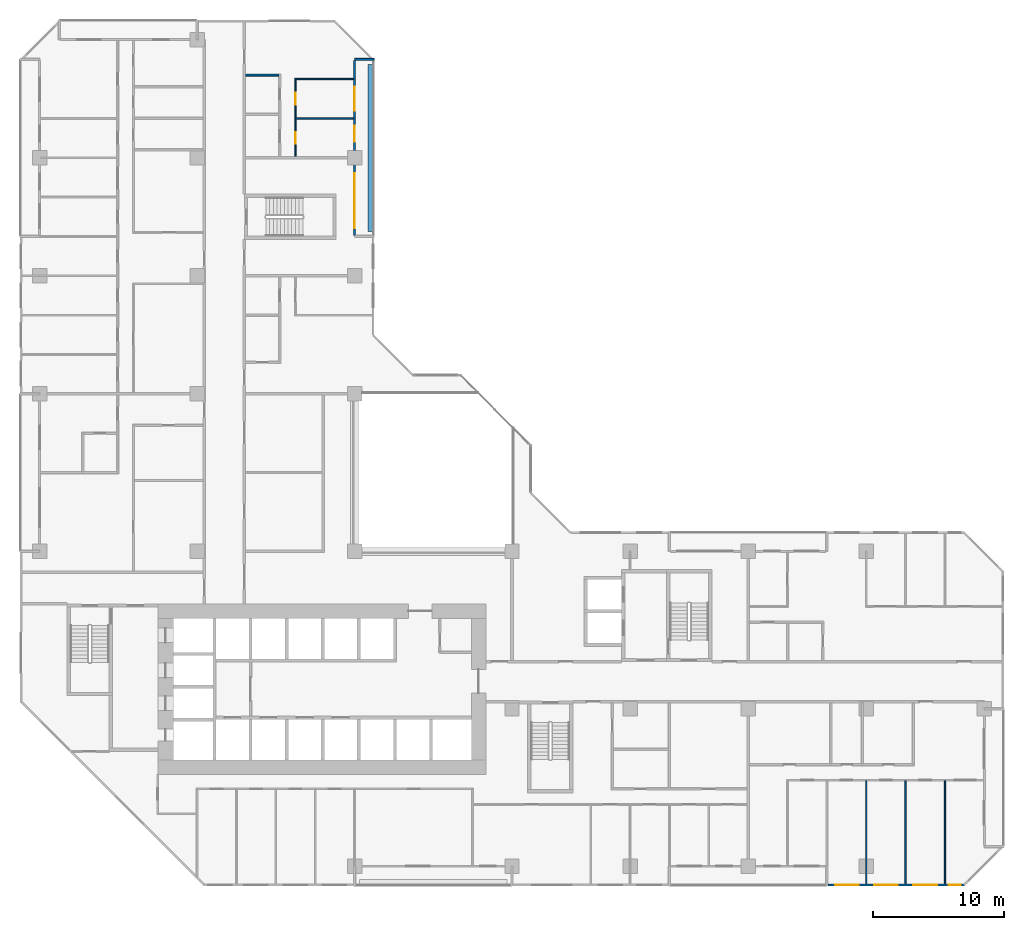
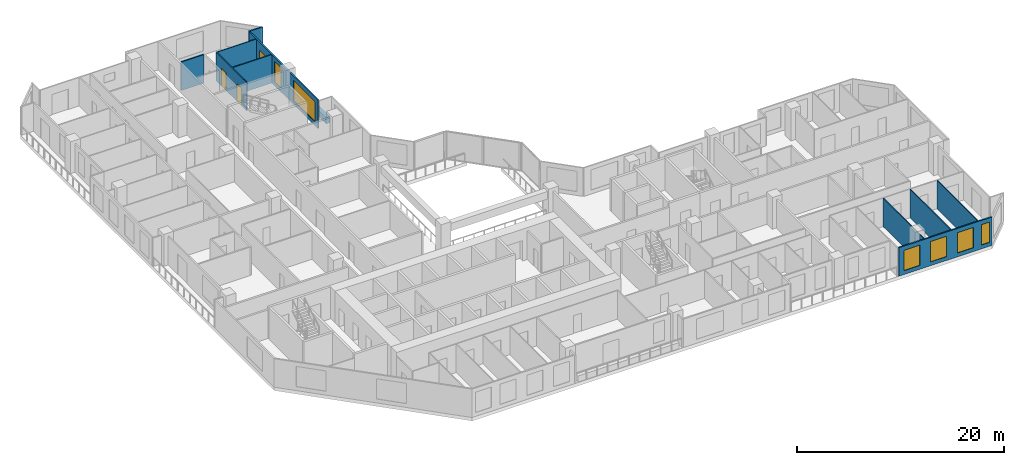
# One storey, part 11 of 15: 11 walls, 6 windows, 3 doors, 9 openings.
"""IFC4 building model written with IfcOpenShell, lengths in metres."""

from ifc_helpers import new_model, si_unit, direction, frame, frame_2d, origin, place, context, subcontext, project, spatial, rectangle, extrude, material, layer, layer_set, type_object, element, fill, save


model = new_model("IFC4")

# Units and contexts
model_context = context("Model", 3, precision=1e-05, world=origin(), true_north=direction((0.0, 1.0)))
body_context = subcontext(model_context, "Body", "Model", "MODEL_VIEW")
ifc_project = project(units=[si_unit("LENGTHUNIT", "METRE"), si_unit("AREAUNIT", "SQUARE_METRE"), si_unit("VOLUMEUNIT", "CUBIC_METRE"), si_unit("PLANEANGLEUNIT", "RADIAN"), si_unit("MASSUNIT", "GRAM", prefix="KILO")], contexts=[model_context])

# Site, building, storey
site_placement = place(None, origin())
site = spatial("IfcSite", under=ifc_project, at=site_placement, CompositionType="ELEMENT")
building_placement = place(site_placement, origin())
building = spatial("IfcBuilding", under=site, at=building_placement, Name="Chenar Terraces", CompositionType="ELEMENT")
storey_placement = place(building_placement, frame((0.0, 0.0, 67.64990234375)))
storey = spatial("IfcBuildingStorey", under=building, at=storey_placement, Name="L14", CompositionType="ELEMENT", Elevation=67.64990234375)

# Wall, openings, windows
ifc_material_1 = material(Name="Aluminium framed glazing", Category="aluminium")
ifc_layer_1 = layer(ifc_material_1, 0.14990234375)
ifc_layer_set_1 = layer_set([ifc_layer_1], Name="Aluminium framed glazing")
wall_type_1 = type_object("IfcWallType", Name="Glazed flush facade wall 150", PredefinedType="SOLIDWALL", material=ifc_layer_set_1)
wall_1_placement = place(storey_placement, frame((60.074951171875, -1.425048828125, 0.0), z_axis=(0.0, 0.0, 1.0), x_axis=(1.0, 0.0, 0.0)))
wall_1 = element("IfcWall", 1, at=wall_1_placement, inside=storey, type_object=wall_type_1, Name="Glazed flush facade wall", PredefinedType="SOLIDWALL", context=body_context, shape_type="SweptSolid", body=[
    extrude(rectangle(XDim=10.425048828125, YDim=0.14990234375, at=frame_2d((5.21240234375, 0.0))), origin(), (0.0, 0.0, 1.0), 3.35009765625),
])
opening_1_placement = place(wall_1_placement, frame((0.5625, 0.0, 0.449951171875)))
opening_1 = element("IfcOpeningElement", 2, at=opening_1_placement, cuts=wall_1, Name="Opening W180x240", PredefinedType="OPENING", context=body_context, shape_type="SweptSolid", body=[
    extrude(rectangle(XDim=1.800048828125, YDim=2.39990234375, at=frame_2d((0.89990234375, 1.199951171875))), frame((0.0, 0.0849609375, 0.0), z_axis=(0.0, -1.0, 0.0), x_axis=(1.0, 0.0, 0.0)), (0.0, 0.0, 1.0), 0.169921875),
])
opening_2_placement = place(wall_1_placement, frame((3.52490234375, 0.0, 0.449951171875)))
opening_2 = element("IfcOpeningElement", 3, at=opening_2_placement, cuts=wall_1, Name="Opening W180x240", PredefinedType="OPENING", context=body_context, shape_type="SweptSolid", body=[
    extrude(rectangle(XDim=1.800048828125, YDim=2.39990234375, at=frame_2d((0.89990234375, 1.199951171875))), frame((0.0, 0.0849609375, 0.0), z_axis=(0.0, -1.0, 0.0), x_axis=(1.0, 0.0, 0.0)), (0.0, 0.0, 1.0), 0.169921875),
])
opening_3_placement = place(wall_1_placement, frame((6.52490234375, 0.0, 0.449951171875)))
opening_3 = element("IfcOpeningElement", 4, at=opening_3_placement, cuts=wall_1, Name="Opening W180x240", PredefinedType="OPENING", context=body_context, shape_type="SweptSolid", body=[
    extrude(rectangle(XDim=1.800048828125, YDim=2.39990234375, at=frame_2d((0.89990234375, 1.199951171875))), frame((0.0, 0.0849609375, 0.0), z_axis=(0.0, -1.0, 0.0), x_axis=(1.0, 0.0, 0.0)), (0.0, 0.0, 1.0), 0.169921875),
])
opening_4_placement = place(wall_1_placement, frame((9.22509765625, 0.0, 0.449951171875)))
opening_4 = element("IfcOpeningElement", 5, at=opening_4_placement, cuts=wall_1, Name="Opening W90x240", PredefinedType="OPENING", context=body_context, shape_type="SweptSolid", body=[
    extrude(rectangle(XDim=0.89990234375, YDim=2.39990234375, at=frame_2d((0.449951171875, 1.199951171875))), frame((0.0, 0.0849609375, 0.0), z_axis=(0.0, -1.0, 0.0), x_axis=(1.0, 0.0, 0.0)), (0.0, 0.0, 1.0), 0.169921875),
])
ifc_material_2 = material(Name="Low emissivity double glazing, aluminium frame", Category="aluminium")
window_type_1 = type_object("IfcWindowType", Name="Fixed light 1800 x 2400", PartitioningType="SINGLE_PANEL", PredefinedType="WINDOW", material=ifc_material_2)
window_1_placement = place(opening_1_placement, origin())
window_1 = element("IfcWindow", 6, at=window_1_placement, inside=storey, type_object=window_type_1, Name="Window", OverallHeight=2.39990234375, OverallWidth=1.800048828125, PartitioningType="SINGLE_PANEL", PredefinedType="WINDOW", context=body_context, shape_type="SweptSolid", body=[
    extrude(rectangle(XDim=1.800048828125, YDim=2.39990234375, at=frame_2d((0.89990234375, 1.199951171875))), frame((0.0, 0.030029296875, 0.0), z_axis=(0.0, -1.0, 0.0), x_axis=(1.0, 0.0, 0.0)), (0.0, 0.0, 1.0), 0.06005859375),
])
fill(opening_1, window_1)
window_2_placement = place(opening_2_placement, origin())
window_2 = element("IfcWindow", 7, at=window_2_placement, inside=storey, type_object=window_type_1, Name="Window", OverallHeight=2.39990234375, OverallWidth=1.800048828125, PartitioningType="SINGLE_PANEL", PredefinedType="WINDOW", context=body_context, shape_type="SweptSolid", body=[
    extrude(rectangle(XDim=1.800048828125, YDim=2.39990234375, at=frame_2d((0.89990234375, 1.199951171875))), frame((0.0, 0.030029296875, 0.0), z_axis=(0.0, -1.0, 0.0), x_axis=(1.0, 0.0, 0.0)), (0.0, 0.0, 1.0), 0.06005859375),
])
fill(opening_2, window_2)
window_3_placement = place(opening_3_placement, origin())
window_3 = element("IfcWindow", 8, at=window_3_placement, inside=storey, type_object=window_type_1, Name="Window", OverallHeight=2.39990234375, OverallWidth=1.800048828125, PartitioningType="SINGLE_PANEL", PredefinedType="WINDOW", context=body_context, shape_type="SweptSolid", body=[
    extrude(rectangle(XDim=1.800048828125, YDim=2.39990234375, at=frame_2d((0.89990234375, 1.199951171875))), frame((0.0, 0.030029296875, 0.0), z_axis=(0.0, -1.0, 0.0), x_axis=(1.0, 0.0, 0.0)), (0.0, 0.0, 1.0), 0.06005859375),
])
fill(opening_3, window_3)
ifc_material_3 = material(Name="Low emissivity double glazing, aluminium frame", Category="aluminium")
window_type_2 = type_object("IfcWindowType", Name="Fixed light 900 x 2400", PartitioningType="SINGLE_PANEL", PredefinedType="WINDOW", material=ifc_material_3)
window_4_placement = place(opening_4_placement, origin())
window_4 = element("IfcWindow", 9, at=window_4_placement, inside=storey, type_object=window_type_2, Name="Window", OverallHeight=2.39990234375, OverallWidth=0.89990234375, PartitioningType="SINGLE_PANEL", PredefinedType="WINDOW", context=body_context, shape_type="SweptSolid", body=[
    extrude(rectangle(XDim=0.89990234375, YDim=2.39990234375, at=frame_2d((0.449951171875, 1.199951171875))), frame((0.0, 0.030029296875, 0.0), z_axis=(0.0, -1.0, 0.0), x_axis=(1.0, 0.0, 0.0)), (0.0, 0.0, 1.0), 0.06005859375),
])
fill(opening_4, window_4)

# Wall, openings, windows, door
ifc_material_4 = material(Name="Aluminium framed glazing", Category="aluminium")
ifc_layer_2 = layer(ifc_material_4, 0.14990234375)
ifc_layer_set_2 = layer_set([ifc_layer_2], Name="Aluminium framed glazing")
wall_type_2 = type_object("IfcWallType", Name="Glazed loggia back wall 150", PredefinedType="SOLIDWALL", material=ifc_layer_set_2)
wall_2_placement = place(storey_placement, frame((24.0, 48.074951171875, 0.0), z_axis=(0.0, 0.0, 1.0), x_axis=(0.0, 1.0, 0.0)))
wall_2 = element("IfcWall", 10, at=wall_2_placement, inside=storey, type_object=wall_type_2, Name="Glazed loggia back wall", PredefinedType="SOLIDWALL", context=body_context, shape_type="SweptSolid", body=[
    extrude(rectangle(XDim=13.35009765625, YDim=0.14990234375, at=frame_2d((6.675048828125, 0.0))), origin(), (0.0, 0.0, 1.0), 3.35009765625),
])
opening_5_placement = place(wall_2_placement, frame((0.53759765625, 0.0, 0.449951171875)))
opening_5 = element("IfcOpeningElement", 11, at=opening_5_placement, cuts=wall_2, Name="Opening W420x240", PredefinedType="OPENING", context=body_context, shape_type="SweptSolid", body=[
    extrude(rectangle(XDim=4.199951171875, YDim=2.39990234375, at=frame_2d((2.10009765625, 1.199951171875))), frame((0.0, 0.0849609375, 0.0), z_axis=(0.0, -1.0, 0.0), x_axis=(1.0, 0.0, 0.0)), (0.0, 0.0, 1.0), 0.169921875),
])
opening_6_placement = place(wall_2_placement, frame((7.14990234375, 0.0, 0.449951171875)))
opening_6 = element("IfcOpeningElement", 12, at=opening_6_placement, cuts=wall_2, Name="Opening W120x240", PredefinedType="OPENING", context=body_context, shape_type="SweptSolid", body=[
    extrude(rectangle(XDim=1.199951171875, YDim=2.39990234375, at=frame_2d((0.60009765625, 1.199951171875))), frame((0.0, 0.0849609375, 0.0), z_axis=(0.0, -1.0, 0.0), x_axis=(1.0, 0.0, 0.0)), (0.0, 0.0, 1.0), 0.169921875),
])
opening_7_placement = place(wall_2_placement, frame((9.52490234375, 0.0, 0.0)))
opening_7 = element("IfcOpeningElement", 13, at=opening_7_placement, cuts=wall_2, Name="Opening DL14-G1", PredefinedType="OPENING", context=body_context, shape_type="SweptSolid", body=[
    extrude(rectangle(XDim=1.800048828125, YDim=2.39990234375, at=frame_2d((0.89990234375, 1.199951171875))), frame((0.0, 0.0849609375, 0.0), z_axis=(0.0, -1.0, 0.0), x_axis=(1.0, 0.0, 0.0)), (0.0, 0.0, 1.0), 0.169921875),
])
ifc_material_5 = material(Name="Low emissivity double glazing, aluminium frame", Category="aluminium")
window_type_3 = type_object("IfcWindowType", Name="Fixed light 1200 x 2400", PartitioningType="SINGLE_PANEL", PredefinedType="WINDOW", material=ifc_material_5)
window_5_placement = place(opening_6_placement, origin())
window_5 = element("IfcWindow", 14, at=window_5_placement, inside=storey, type_object=window_type_3, Name="Window", OverallHeight=2.39990234375, OverallWidth=1.199951171875, PartitioningType="SINGLE_PANEL", PredefinedType="WINDOW", context=body_context, shape_type="SweptSolid", body=[
    extrude(rectangle(XDim=1.199951171875, YDim=2.39990234375, at=frame_2d((0.60009765625, 1.199951171875))), frame((0.0, 0.030029296875, 0.0), z_axis=(0.0, -1.0, 0.0), x_axis=(1.0, 0.0, 0.0)), (0.0, 0.0, 1.0), 0.06005859375),
])
fill(opening_6, window_5)
ifc_material_6 = material(Name="Low emissivity double glazing, aluminium frame", Category="aluminium")
window_type_4 = type_object("IfcWindowType", Name="Fixed light 4200 x 2400", PartitioningType="SINGLE_PANEL", PredefinedType="WINDOW", material=ifc_material_6)
window_6_placement = place(opening_5_placement, origin())
window_6 = element("IfcWindow", 15, at=window_6_placement, inside=storey, type_object=window_type_4, Name="Window", OverallHeight=2.39990234375, OverallWidth=4.199951171875, PartitioningType="SINGLE_PANEL", PredefinedType="WINDOW", context=body_context, shape_type="SweptSolid", body=[
    extrude(rectangle(XDim=4.199951171875, YDim=2.39990234375, at=frame_2d((2.10009765625, 1.199951171875))), frame((0.0, 0.030029296875, 0.0), z_axis=(0.0, -1.0, 0.0), x_axis=(1.0, 0.0, 0.0)), (0.0, 0.0, 1.0), 0.06005859375),
])
fill(opening_5, window_6)
ifc_material_7 = material(Name="Low emissivity double glazing, aluminium frame", Category="aluminium")
door_type_1 = type_object("IfcDoorType", Name="Loggia glazed double door 1800 x 2400", OperationType="DOUBLE_DOOR_SINGLE_SWING", PredefinedType="DOOR", material=ifc_material_7)
door_1_placement = place(opening_7_placement, frame((1.800048828125, 0.0, 0.0), z_axis=(0.0, 0.0, 1.0), x_axis=(-1.0, 0.0, 0.0)))
door_1 = element("IfcDoor", 16, at=door_1_placement, inside=storey, type_object=door_type_1, Name="Loggia glazed door", OperationType="DOUBLE_DOOR_SINGLE_SWING", OverallHeight=2.39990234375, OverallWidth=1.800048828125, PredefinedType="DOOR", context=body_context, shape_type="SweptSolid", body=[
    extrude(rectangle(XDim=1.800048828125, YDim=2.39990234375, at=frame_2d((0.89990234375, 1.199951171875))), frame((0.0, 0.02490234375, 0.0), z_axis=(0.0, -1.0, 0.0), x_axis=(1.0, 0.0, 0.0)), (0.0, 0.0, 1.0), 0.050048828125),
])
fill(opening_7, door_1)

# Wall, openings, doors
ifc_material_8 = material(Name="Gypsum board on steel studs", Category="steel")
ifc_layer_3 = layer(ifc_material_8, 0.10009765625)
ifc_layer_set_3 = layer_set([ifc_layer_3], Name="Gypsum board on steel studs")
wall_type_3 = type_object("IfcWallType", Name="Gypsum partition 100", PredefinedType="PARTITIONING", material=ifc_layer_set_3)
wall_3_placement = place(storey_placement, frame((19.5, 54.10009765625, 0.0), z_axis=(0.0, 0.0, 1.0), x_axis=(0.0, 1.0, 0.0)))
wall_3 = element("IfcWall", 17, at=wall_3_placement, inside=storey, type_object=wall_type_3, Name="Partition L14-049", PredefinedType="PARTITIONING", context=body_context, shape_type="SweptSolid", body=[
    extrude(rectangle(XDim=5.949951171875, YDim=0.10009765625, at=frame_2d((2.97509765625, 0.0))), origin(), (0.0, 0.0, 1.0), 3.35009765625),
])
opening_8_placement = place(wall_3_placement, frame((0.949951171875, 0.0, 0.0)))
opening_8 = element("IfcOpeningElement", 18, at=opening_8_placement, cuts=wall_3, Name="Opening DL14-25", PredefinedType="OPENING", context=body_context, shape_type="SweptSolid", body=[
    extrude(rectangle(XDim=0.89990234375, YDim=2.10009765625, at=frame_2d((0.449951171875, 1.050048828125))), frame((0.0, 0.06005859375, 0.0), z_axis=(0.0, -1.0, 0.0), x_axis=(1.0, 0.0, 0.0)), (0.0, 0.0, 1.0), 0.1201171875),
])
opening_9_placement = place(wall_3_placement, frame((3.949951171875, 0.0, 0.0)))
opening_9 = element("IfcOpeningElement", 19, at=opening_9_placement, cuts=wall_3, Name="Opening DL14-26", PredefinedType="OPENING", context=body_context, shape_type="SweptSolid", body=[
    extrude(rectangle(XDim=0.89990234375, YDim=2.10009765625, at=frame_2d((0.449951171875, 1.050048828125))), frame((0.0, 0.06005859375, 0.0), z_axis=(0.0, -1.0, 0.0), x_axis=(1.0, 0.0, 0.0)), (0.0, 0.0, 1.0), 0.1201171875),
])
ifc_material_9 = material(Name="Veneered timber door leaf", Category="wood")
door_type_2 = type_object("IfcDoorType", Name="Door 900 x 2100", OperationType="SINGLE_SWING_LEFT", PredefinedType="DOOR", material=ifc_material_9)
door_2_placement = place(opening_8_placement, frame((0.89990234375, 0.0, 0.0), z_axis=(0.0, 0.0, 1.0), x_axis=(-1.0, 0.0, 0.0)))
door_2 = element("IfcDoor", 20, at=door_2_placement, inside=storey, type_object=door_type_2, Name="Door DL14-25", OperationType="SINGLE_SWING_LEFT", OverallHeight=2.10009765625, OverallWidth=0.89990234375, PredefinedType="DOOR", context=body_context, shape_type="SweptSolid", body=[
    extrude(rectangle(XDim=0.89990234375, YDim=2.10009765625, at=frame_2d((0.449951171875, 1.050048828125))), frame((0.0, 0.02490234375, 0.0), z_axis=(0.0, -1.0, 0.0), x_axis=(1.0, 0.0, 0.0)), (0.0, 0.0, 1.0), 0.050048828125),
])
fill(opening_8, door_2)
door_3_placement = place(opening_9_placement, frame((0.89990234375, 0.0, 0.0), z_axis=(0.0, 0.0, 1.0), x_axis=(-1.0, 0.0, 0.0)))
door_3 = element("IfcDoor", 21, at=door_3_placement, inside=storey, type_object=door_type_2, Name="Door DL14-26", OperationType="SINGLE_SWING_LEFT", OverallHeight=2.10009765625, OverallWidth=0.89990234375, PredefinedType="DOOR", context=body_context, shape_type="SweptSolid", body=[
    extrude(rectangle(XDim=0.89990234375, YDim=2.10009765625, at=frame_2d((0.449951171875, 1.050048828125))), frame((0.0, 0.02490234375, 0.0), z_axis=(0.0, -1.0, 0.0), x_axis=(1.0, 0.0, 0.0)), (0.0, 0.0, 1.0), 0.050048828125),
])
fill(opening_9, door_3)

# Walls
for number, where, z_axis, x_axis, name in (
    (22, (19.550048828125, 57.0, 0.0), (0.0, 0.0, 1.0), (1.0, 0.0, 0.0), "Partition L14-050"),
    (23, (19.550048828125, 60.0, 0.0), (0.0, 0.0, 1.0), (1.0, 0.0, 0.0), "Partition L14-051"),
):
    element("IfcWall", number, at=place(storey_placement, frame(where, z_axis=z_axis, x_axis=x_axis)), inside=storey, type_object=wall_type_3, Name=name, PredefinedType="PARTITIONING", context=body_context, shape_type="SweptSolid", body=[
        extrude(rectangle(XDim=4.3759765625, YDim=0.10009765625, at=frame_2d((2.18798828125, 0.0))), origin(), (0.0, 0.0, 1.0), 3.35009765625),
    ])
for number, where, z_axis, x_axis, name in (
    (24, (63.0, -1.35107421875, 0.0), (0.0, 0.0, 1.0), (0.0, 1.0, 0.0), "Partition L14-085"),
    (25, (66.0, -1.35107421875, 0.0), (0.0, 0.0, 1.0), (0.0, 1.0, 0.0), "Partition L14-087"),
    (26, (69.0, -1.35107421875, 0.0), (0.0, 0.0, 1.0), (0.0, 1.0, 0.0), "Partition L14-090"),
):
    element("IfcWall", number, at=place(storey_placement, frame(where, z_axis=z_axis, x_axis=x_axis)), inside=storey, type_object=wall_type_3, Name=name, PredefinedType="PARTITIONING", context=body_context, shape_type="SweptSolid", body=[
        extrude(rectangle(XDim=7.85107421875, YDim=0.10009765625, at=frame_2d((3.925537109375, 0.0))), origin(), (0.0, 0.0, 1.0), 3.35009765625),
    ])
ifc_material_10 = material(Name="Terracotta cladding on insulated backing", Category="masonry")
ifc_layer_4 = layer(ifc_material_10, 0.14990234375)
ifc_layer_set_4 = layer_set([ifc_layer_4], Name="Terracotta cladding on insulated backing")
wall_type_4 = type_object("IfcWallType", Name="Loggia return wall 150", PredefinedType="SOLIDWALL", material=ifc_layer_set_4)
wall_4_placement = place(storey_placement, frame((25.5, 61.5, 0.0), z_axis=(0.0, 0.0, 1.0), x_axis=(-1.0, 0.0, 0.0)))
element("IfcWall", 27, at=wall_4_placement, inside=storey, type_object=wall_type_4, Name="Loggia return wall", PredefinedType="SOLIDWALL", context=body_context, shape_type="SweptSolid", body=[
    extrude(rectangle(XDim=1.5, YDim=0.14990234375, at=frame_2d((0.75, 0.0))), origin(), (0.0, 0.0, 1.0), 3.35009765625),
])
ifc_material_11 = material(Name="GRP planter trough")
ifc_layer_5 = layer(ifc_material_11, 0.39990234375)
ifc_layer_set_5 = layer_set([ifc_layer_5], Name="GRP planter trough")
wall_type_5 = type_object("IfcWallType", Name="Vertical greenery planter 400", PredefinedType="SOLIDWALL", material=ifc_layer_set_5)
wall_5_placement = place(storey_placement, frame((25.22900390625, 48.375, 0.0), z_axis=(0.0, 0.0, 1.0), x_axis=(0.0, 1.0, 0.0)))
element("IfcWall", 28, at=wall_5_placement, inside=storey, type_object=wall_type_5, Name="Vertical greenery planter", PredefinedType="SOLIDWALL", context=body_context, shape_type="SweptSolid", body=[
    extrude(rectangle(XDim=12.75, YDim=0.39990234375, at=frame_2d((6.375, 0.0))), origin(), (0.0, 0.0, 1.0), 0.7001953125),
])
ifc_material_12 = material(Name="Moisture-resistant gypsum board on steel studs", Category="steel")
ifc_layer_6 = layer(ifc_material_12, 0.14990234375)
ifc_layer_set_6 = layer_set([ifc_layer_6], Name="Moisture-resistant gypsum board on steel studs")
wall_type_6 = type_object("IfcWallType", Name="Wet-room partition 150", PredefinedType="PARTITIONING", material=ifc_layer_set_6)
wall_6_placement = place(storey_placement, frame((15.699951171875, 60.300048828125, 0.0), z_axis=(0.0, 0.0, 1.0), x_axis=(1.0, 0.0, 0.0)))
element("IfcWall", 29, at=wall_6_placement, inside=storey, type_object=wall_type_6, Name="Partition L14-043", PredefinedType="PARTITIONING", context=body_context, shape_type="SweptSolid", body=[
    extrude(rectangle(XDim=2.525146484375, YDim=0.14990234375, at=frame_2d((1.2626953125, 0.0))), origin(), (0.0, 0.0, 1.0), 3.35009765625),
])

save(model, "model.ifc")
